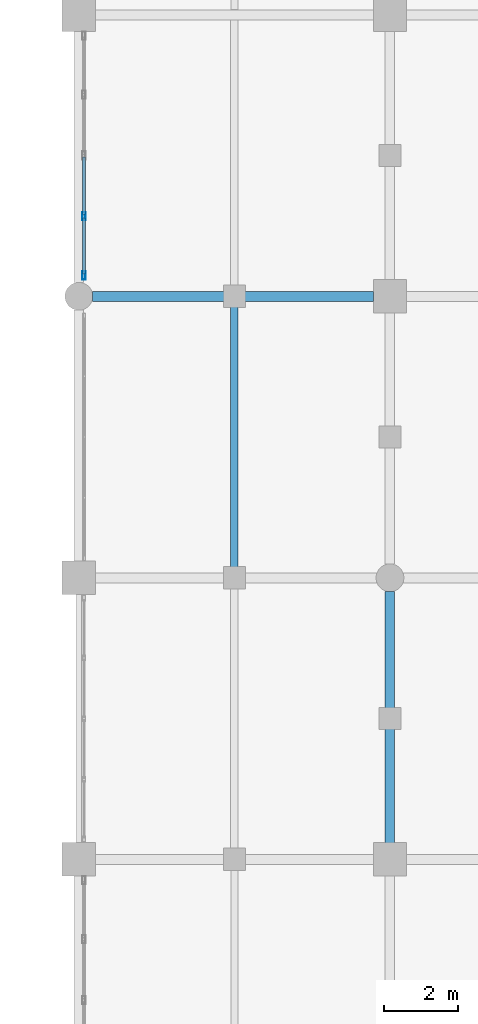
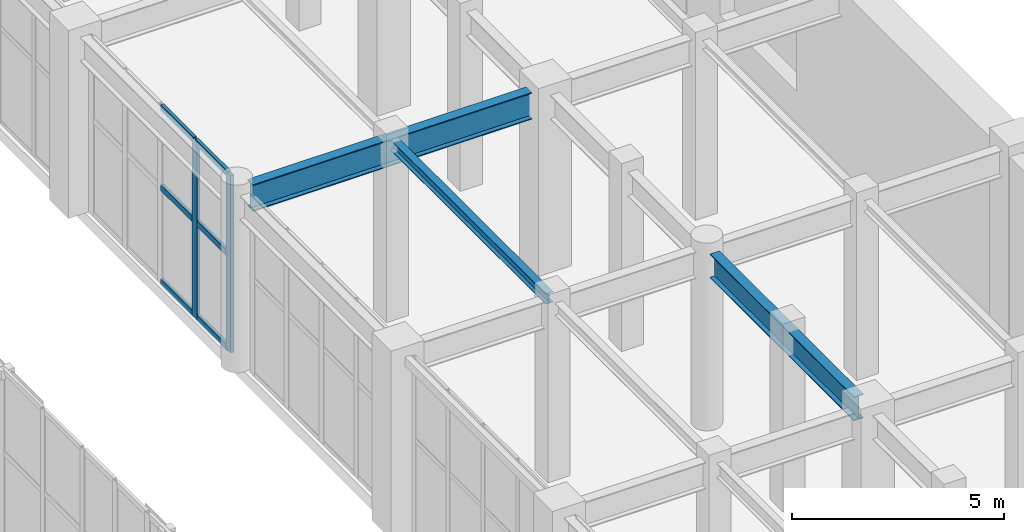
# One storey, part 30 of 139: 8 members, 3 beams, 1 element without a shape of its own.
"""IFC4 building model written with IfcOpenShell, lengths in metres."""

from ifc_helpers import new_model, si_unit, direction, frame, origin, origin_2d, place, context, subcontext, project, spatial, hollow_rectangle, i_section, extrude, material, layer, layer_set, material_profile, profile_set, type_object, element, aggregate, save


model = new_model("IFC4")

# Units and contexts
model_context = context("Model", 3, precision=1e-05, world=origin(), true_north=direction((0.0, 1.0)))
body_context = subcontext(model_context, "Body", "Model", "MODEL_VIEW")
ifc_project = project(units=[si_unit("LENGTHUNIT", "METRE"), si_unit("AREAUNIT", "SQUARE_METRE"), si_unit("VOLUMEUNIT", "CUBIC_METRE"), si_unit("PLANEANGLEUNIT", "RADIAN"), si_unit("MASSUNIT", "GRAM", prefix="KILO")], contexts=[model_context])

# Site, building, storey
site_placement = place(None, origin())
site = spatial("IfcSite", under=ifc_project, at=site_placement, CompositionType="ELEMENT")
building_placement = place(site_placement, origin())
building = spatial("IfcBuilding", under=site, at=building_placement, Name="Xicomal Pleat Aquarium", CompositionType="ELEMENT")
storey_placement = place(building_placement, origin())
storey = spatial("IfcBuildingStorey", under=building, at=storey_placement, Name="L01", CompositionType="ELEMENT", Elevation=0.0)

# Beams
ifc_material_1 = material(Name="Structural steel A992 Gr 50", Category="steel")
ifc_material_profile_1 = material_profile(ifc_material_1, i_section(OverallWidth=0.202880859375, OverallDepth=0.302978515625, WebThickness=0.007568359375, FlangeThickness=0.01318359375, at=origin_2d()), Name="IR 310x60")
ifc_profile_set_1 = profile_set([ifc_material_profile_1], Name="Structural steel A992 Gr 50")
beam_type_1 = type_object("IfcBeamType", Name="BM-STL-IR310", PredefinedType="JOIST", material=ifc_profile_set_1)
beam_1_placement = place(storey_placement, frame((48.0, 53.3369140625, 4.948486328125), z_axis=(0.0, 1.0, 0.0), x_axis=(-1.0, 0.0, 0.0)))
element("IfcBeam", 1, at=beam_1_placement, inside=storey, type_object=beam_type_1, Name="L01 framing beam FBJ-L01-06-H-1", PredefinedType="JOIST", context=body_context, shape_type="SweptSolid", body=[
    extrude(i_section(OverallWidth=0.202880859375, OverallDepth=0.302978515625, WebThickness=0.007568359375, FlangeThickness=0.01318359375, at=origin_2d()), origin(), (0.0, 0.0, 1.0), 7.326171875),
])
ifc_material_2 = material(Name="Structural steel A992 Gr 50", Category="steel")
ifc_material_profile_2 = material_profile(ifc_material_2, i_section(OverallWidth=0.256103515625, OverallDepth=0.693115234375, WebThickness=0.014404296875, FlangeThickness=0.023681640625, at=origin_2d()), Name="IR 690x170")
ifc_profile_set_2 = profile_set([ifc_material_profile_2], Name="Structural steel A992 Gr 50")
beam_type_2 = type_object("IfcBeamType", Name="BM-STL-IR690", PredefinedType="BEAM", material=ifc_profile_set_2)
beam_2_placement = place(storey_placement, frame((52.199951171875, 46.044921875, 4.75341796875), z_axis=(0.0, 1.0, 0.0), x_axis=(-1.0, 0.0, 0.0)))
element("IfcBeam", 2, at=beam_2_placement, inside=storey, type_object=beam_type_2, Name="L01 framing beam FGY-L01-07-G-H", PredefinedType="BEAM", context=body_context, shape_type="SweptSolid", body=[
    extrude(i_section(OverallWidth=0.256103515625, OverallDepth=0.693115234375, WebThickness=0.014404296875, FlangeThickness=0.023681640625, at=origin_2d()), origin(), (0.0, 0.0, 1.0), 6.78515625),
])
ifc_material_3 = material(Name="Structural steel A992 Gr 50", Category="steel")
ifc_material_profile_3 = material_profile(ifc_material_3, i_section(OverallWidth=0.26806640625, OverallDepth=0.77001953125, WebThickness=0.015625, FlangeThickness=0.025390625, at=origin_2d()), Name="IR 760x196")
ifc_profile_set_3 = profile_set([ifc_material_profile_3], Name="Structural steel A992 Gr 50")
beam_type_3 = type_object("IfcBeamType", Name="BM-STL-IR760", PredefinedType="BEAM", material=ifc_profile_set_3)
beam_3_placement = place(storey_placement, frame((44.169921875, 60.800048828125, 4.715087890625), z_axis=(1.0, 0.0, 0.0), x_axis=(0.0, 1.0, 0.0)))
element("IfcBeam", 3, at=beam_3_placement, inside=storey, type_object=beam_type_3, Name="L01 framing beam FGX-L01-06-07-J", PredefinedType="BEAM", context=body_context, shape_type="SweptSolid", body=[
    extrude(i_section(OverallWidth=0.26806640625, OverallDepth=0.77001953125, WebThickness=0.015625, FlangeThickness=0.025390625, at=origin_2d()), origin(), (0.0, 0.0, 1.0), 7.5849609375),
])

# Curtain wall, members
ifc_material_4 = material(Name="Bronze anodized aluminium 6063-T6", Category="aluminium")
ifc_layer = layer(ifc_material_4, 0.159912109375)
ifc_layer_set = layer_set([ifc_layer], Name="Bronze anodized aluminium 6063-T6")
curtain_wall_type = type_object("IfcCurtainWallType", Name="CW-SYS-11", PredefinedType="NOTDEFINED", material=ifc_layer_set)
curtain_wall_placement = place(storey_placement, origin())
curtain_wall = element("IfcCurtainWall", 4, at=curtain_wall_placement, inside=storey, type_object=curtain_wall_type, Name="L01 unitised curtain wall CW-L01-032", PredefinedType="NOTDEFINED")
ifc_material_5 = material(Name="Bronze anodized aluminium 6063-T6", Category="aluminium")
ifc_material_profile_4 = material_profile(ifc_material_5, hollow_rectangle(XDim=0.0849609375, YDim=0.219970703125, WallThickness=0.0048828125, at=origin_2d()), Name="ALU MULL 85x220")
ifc_profile_set_4 = profile_set([ifc_material_profile_4], Name="Bronze anodized aluminium 6063-T6")
member_type_1 = type_object("IfcMemberType", Name="CWM-85x220", PredefinedType="MULLION", material=ifc_profile_set_4)
member_1_placement = place(storey_placement, frame((43.93994140625, 61.362548828125, 0.0), z_axis=(0.0, 0.0, 1.0), x_axis=(-1.0, 0.0, 0.0)))
member_1 = element("IfcMember", 5, at=member_1_placement, type_object=member_type_1, Name="CW-11 mullion 1", PredefinedType="MULLION", context=body_context, shape_type="SweptSolid", body=[
    extrude(hollow_rectangle(XDim=0.0849609375, YDim=0.219970703125, WallThickness=0.0048828125, at=origin_2d()), origin(), (0.0, 0.0, 1.0), 5.10009765625),
])
member_2_placement = place(storey_placement, frame((43.93994140625, 62.9599609375, 0.0), z_axis=(0.0, 0.0, 1.0), x_axis=(-1.0, 0.0, 0.0)))
member_2 = element("IfcMember", 6, at=member_2_placement, type_object=member_type_1, Name="CW-11 mullion 2", PredefinedType="MULLION", context=body_context, shape_type="SweptSolid", body=[
    extrude(hollow_rectangle(XDim=0.0849609375, YDim=0.219970703125, WallThickness=0.0048828125, at=origin_2d()), origin(), (0.0, 0.0, 1.0), 5.10009765625),
])
ifc_material_6 = material(Name="Bronze anodized aluminium 6063-T6", Category="aluminium")
ifc_material_profile_5 = material_profile(ifc_material_6, hollow_rectangle(XDim=0.0849609375, YDim=0.169921875, WallThickness=0.0048828125, at=origin_2d()), Name="ALU TRAN 85x170")
ifc_profile_set_5 = profile_set([ifc_material_profile_5], Name="Bronze anodized aluminium 6063-T6")
member_type_2 = type_object("IfcMemberType", Name="CWT-85x170", PredefinedType="USERDEFINED", material=ifc_profile_set_5)
member_3_placement = place(storey_placement, frame((43.93994140625, 61.405029296875, 0.04248046875), z_axis=(0.0, 1.0, 0.0), x_axis=(-1.0, 0.0, 0.0)))
member_3 = element("IfcMember", 7, at=member_3_placement, type_object=member_type_2, Name="CW-11 transom 1.1", ObjectType="TRANSOM", PredefinedType="USERDEFINED", context=body_context, shape_type="SweptSolid", body=[
    extrude(hollow_rectangle(XDim=0.0849609375, YDim=0.169921875, WallThickness=0.0048828125, at=origin_2d()), origin(), (0.0, 0.0, 1.0), 1.512451171875),
])
member_4_placement = place(storey_placement, frame((43.93994140625, 61.405029296875, 2.75390625), z_axis=(0.0, 1.0, 0.0), x_axis=(-1.0, 0.0, 0.0)))
member_4 = element("IfcMember", 8, at=member_4_placement, type_object=member_type_2, Name="CW-11 transom 1.2", ObjectType="TRANSOM", PredefinedType="USERDEFINED", context=body_context, shape_type="SweptSolid", body=[
    extrude(hollow_rectangle(XDim=0.0849609375, YDim=0.169921875, WallThickness=0.0048828125, at=origin_2d()), origin(), (0.0, 0.0, 1.0), 1.512451171875),
])
member_5_placement = place(storey_placement, frame((43.93994140625, 61.405029296875, 5.0576171875), z_axis=(0.0, 1.0, 0.0), x_axis=(-1.0, 0.0, 0.0)))
member_5 = element("IfcMember", 9, at=member_5_placement, type_object=member_type_2, Name="CW-11 transom 1.3", ObjectType="TRANSOM", PredefinedType="USERDEFINED", context=body_context, shape_type="SweptSolid", body=[
    extrude(hollow_rectangle(XDim=0.0849609375, YDim=0.169921875, WallThickness=0.0048828125, at=origin_2d()), origin(), (0.0, 0.0, 1.0), 1.512451171875),
])
member_6_placement = place(storey_placement, frame((43.93994140625, 63.00244140625, 0.04248046875), z_axis=(0.0, 1.0, 0.0), x_axis=(-1.0, 0.0, 0.0)))
member_6 = element("IfcMember", 10, at=member_6_placement, type_object=member_type_2, Name="CW-11 transom 2.1", ObjectType="TRANSOM", PredefinedType="USERDEFINED", context=body_context, shape_type="SweptSolid", body=[
    extrude(hollow_rectangle(XDim=0.0849609375, YDim=0.169921875, WallThickness=0.0048828125, at=origin_2d()), origin(), (0.0, 0.0, 1.0), 1.55517578125),
])
member_7_placement = place(storey_placement, frame((43.93994140625, 63.00244140625, 2.75390625), z_axis=(0.0, 1.0, 0.0), x_axis=(-1.0, 0.0, 0.0)))
member_7 = element("IfcMember", 11, at=member_7_placement, type_object=member_type_2, Name="CW-11 transom 2.2", ObjectType="TRANSOM", PredefinedType="USERDEFINED", context=body_context, shape_type="SweptSolid", body=[
    extrude(hollow_rectangle(XDim=0.0849609375, YDim=0.169921875, WallThickness=0.0048828125, at=origin_2d()), origin(), (0.0, 0.0, 1.0), 1.55517578125),
])
member_8_placement = place(storey_placement, frame((43.93994140625, 63.00244140625, 5.0576171875), z_axis=(0.0, 1.0, 0.0), x_axis=(-1.0, 0.0, 0.0)))
member_8 = element("IfcMember", 12, at=member_8_placement, type_object=member_type_2, Name="CW-11 transom 2.3", ObjectType="TRANSOM", PredefinedType="USERDEFINED", context=body_context, shape_type="SweptSolid", body=[
    extrude(hollow_rectangle(XDim=0.0849609375, YDim=0.169921875, WallThickness=0.0048828125, at=origin_2d()), origin(), (0.0, 0.0, 1.0), 1.55517578125),
])
aggregate(curtain_wall, [member_1, member_2, member_3, member_4, member_5, member_6, member_7, member_8])

save(model, "model.ifc")
